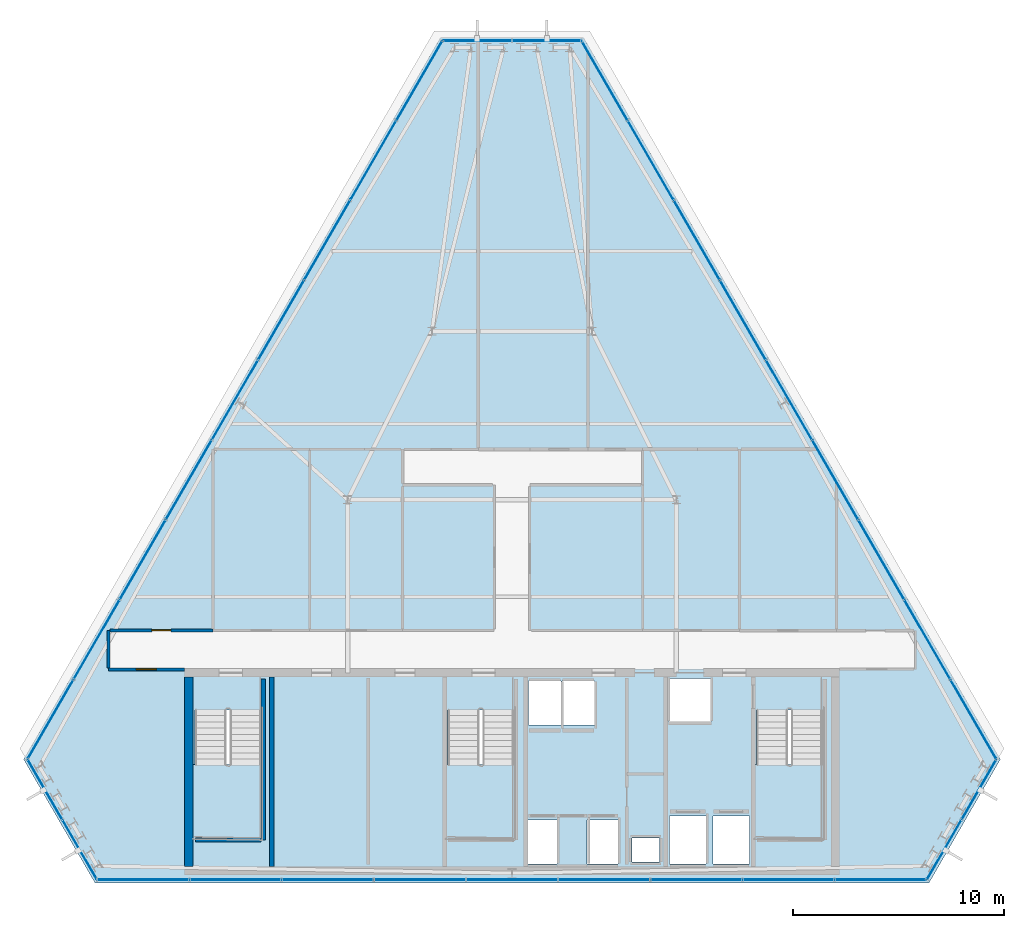
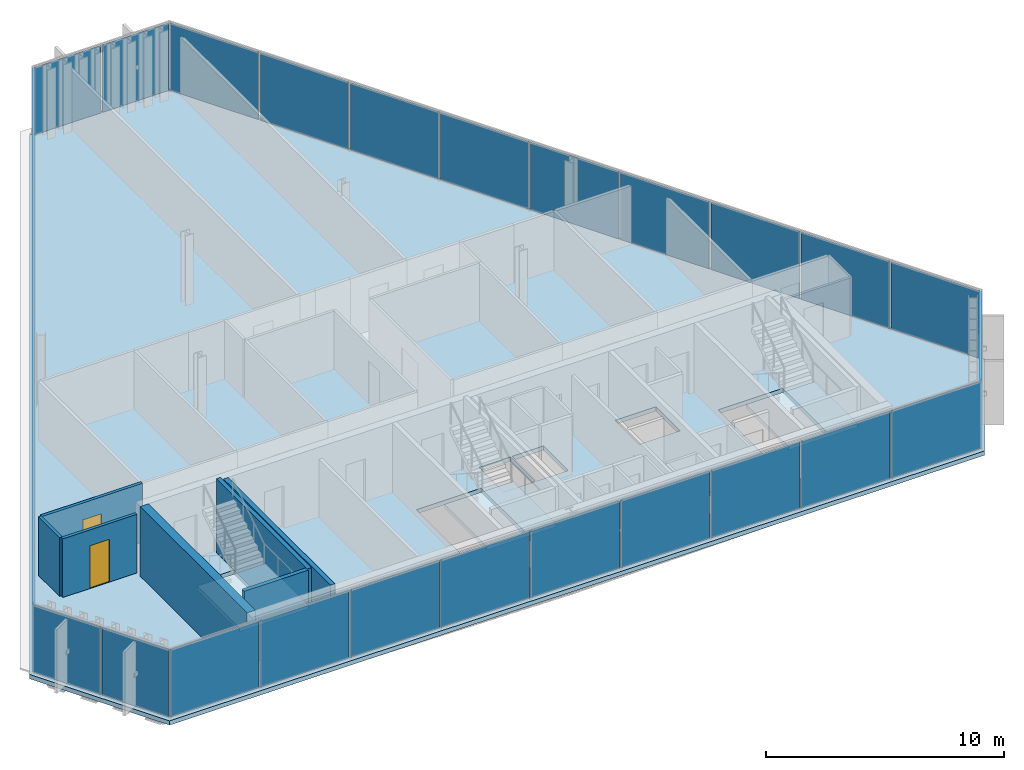
# One storey, part 23 of 29: 33 plates, 7 walls, 4 slabs, 2 doors, 2 openings, 9 elements without a shape of their own.
"""IFC4 building model written with IfcOpenShell, lengths in metres."""

from ifc_helpers import new_model, si_unit, direction, frame, frame_2d, origin, origin_2d, place, context, subcontext, project, spatial, polyline, rectangle, outline, extrude, material, layer, layer_set, type_object, element, fill, aggregate, save


model = new_model("IFC4")

# Units and contexts
model_context = context("Model", 3, precision=1e-05, world=origin(), true_north=direction((0.0, 1.0)))
body_context = subcontext(model_context, "Body", "Model", "MODEL_VIEW")
ifc_project = project(units=[si_unit("LENGTHUNIT", "METRE"), si_unit("AREAUNIT", "SQUARE_METRE"), si_unit("VOLUMEUNIT", "CUBIC_METRE"), si_unit("PLANEANGLEUNIT", "RADIAN"), si_unit("MASSUNIT", "GRAM", prefix="KILO")], contexts=[model_context])

# Site, building, storey
site_placement = place(None, origin())
site = spatial("IfcSite", under=ifc_project, at=site_placement, CompositionType="ELEMENT")
building_placement = place(site_placement, origin())
building = spatial("IfcBuilding", under=site, at=building_placement, Name="Ndaravel Arena Tower", CompositionType="ELEMENT")
storey_placement = place(building_placement, frame((0.0, 0.0, 240.800048828125)))
storey = spatial("IfcBuildingStorey", under=building, at=storey_placement, Name="L58", CompositionType="ELEMENT", Elevation=240.800048828125)

# Curtain wall, plate
ifc_material_1 = material(Name="Aluminium", Category="aluminium")
ifc_layer_1 = layer(ifc_material_1, 0.179931640625)
ifc_layer_set_1 = layer_set([ifc_layer_1], Name="Aluminium")
curtain_wall_type_1 = type_object("IfcCurtainWallType", Name="CW-SYS-01", PredefinedType="NOTDEFINED", material=ifc_layer_set_1)
curtain_wall_1_placement = place(storey_placement, origin())
curtain_wall_1 = element("IfcCurtainWall", 1, at=curtain_wall_1_placement, inside=storey, type_object=curtain_wall_type_1, Name="L58 Faceted Crystal Curtain Wall CW-L58-E02", PredefinedType="NOTDEFINED")
ifc_material_2 = material(Name="Glazing", Category="glass")
ifc_layer_2 = layer(ifc_material_2, 0.035888671875)
ifc_layer_set_2 = layer_set([ifc_layer_2], Name="Glazing")
plate_type_1 = type_object("IfcPlateType", Name="PLT-CW-OPVENT", PredefinedType="CURTAIN_PANEL", material=ifc_layer_set_2)
plate_1_placement = place(storey_placement, frame((64.169677734375, 9.451416015625, 0.06005859375), z_axis=(0.0, 0.0, 1.0), x_axis=(0.5, 0.866025403784, 0.0)))
plate_1 = element("IfcPlate", 2, at=plate_1_placement, type_object=plate_type_1, Name="CW-L58-E02 Operable Vent Sash Panel 02", PredefinedType="CURTAIN_PANEL", context=body_context, shape_type="SweptSolid", body=[
    extrude(rectangle(XDim=3.2236328125, YDim=0.035888671875, at=origin_2d()), origin(), (0.0, 0.0, 1.0), 3.4599609375),
])

curtain_wall_2_placement = place(storey_placement, origin())
curtain_wall_2 = element("IfcCurtainWall", 3, at=curtain_wall_2_placement, inside=storey, type_object=curtain_wall_type_1, Name="L58 Faceted Crystal Curtain Wall CW-L58-E04", PredefinedType="NOTDEFINED")
plate_2_placement = place(storey_placement, frame((40.34814453125, 44.989501953125, 0.06005859375), z_axis=(0.0, 0.0, 1.0), x_axis=(-1.0, 0.0, 0.0)))
plate_2 = element("IfcPlate", 4, at=plate_2_placement, type_object=plate_type_1, Name="CW-L58-E04 Operable Vent Sash Panel 02", PredefinedType="CURTAIN_PANEL", context=body_context, shape_type="SweptSolid", body=[
    extrude(rectangle(XDim=3.2236328125, YDim=0.035888671875, at=origin_2d()), origin(), (0.0, 0.0, 1.0), 3.4599609375),
])

ifc_material_3 = material(Name="Aluminium", Category="aluminium")
ifc_layer_3 = layer(ifc_material_3, 0.179931640625)
ifc_layer_set_3 = layer_set([ifc_layer_3], Name="Aluminium")
curtain_wall_type_2 = type_object("IfcCurtainWallType", Name="CW-SYS-02", PredefinedType="NOTDEFINED", material=ifc_layer_set_3)
curtain_wall_3_placement = place(storey_placement, origin())
curtain_wall_3 = element("IfcCurtainWall", 5, at=curtain_wall_3_placement, inside=storey, type_object=curtain_wall_type_2, Name="L58 Faceted Crystal Curtain Wall CW-L58-E06", PredefinedType="NOTDEFINED")
plate_3_placement = place(storey_placement, frame((21.482177734375, 6.590576171875, 0.06005859375), z_axis=(0.0, 0.0, 1.0), x_axis=(0.5, -0.866025403784, 0.0)))
plate_3 = element("IfcPlate", 6, at=plate_3_placement, type_object=plate_type_1, Name="CW-L58-E06 Operable Vent Sash Panel 02", PredefinedType="CURTAIN_PANEL", context=body_context, shape_type="SweptSolid", body=[
    extrude(rectangle(XDim=3.2236328125, YDim=0.035888671875, at=origin_2d()), origin(), (0.0, 0.0, 1.0), 3.4599609375),
])

# Plate
ifc_material_4 = material(Name="Glazing", Category="glass")
ifc_layer_4 = layer(ifc_material_4, 0.031982421875)
ifc_layer_set_4 = layer_set([ifc_layer_4], Name="Glazing")
plate_type_2 = type_object("IfcPlateType", Name="PLT-GLZ-FRIT35", PredefinedType="CURTAIN_PANEL", material=ifc_layer_set_4)
plate_4_placement = place(storey_placement, frame((62.517822265625, 6.590576171875, 0.06005859375), z_axis=(0.0, 0.0, 1.0), x_axis=(0.5, 0.866025403784, 0.0)))
plate_4 = element("IfcPlate", 7, at=plate_4_placement, type_object=plate_type_2, Name="CW-L58-E02 Vision Glass Panel 01", PredefinedType="CURTAIN_PANEL", context=body_context, shape_type="SweptSolid", body=[
    extrude(rectangle(XDim=3.2236328125, YDim=0.035888671875, at=origin_2d()), origin(), (0.0, 0.0, 1.0), 3.4599609375),
])

aggregate(curtain_wall_1, [plate_4, plate_1])

plate_5_placement = place(storey_placement, frame((43.65185546875, 44.989501953125, 0.06005859375), z_axis=(0.0, 0.0, 1.0), x_axis=(-1.0, 0.0, 0.0)))
plate_5 = element("IfcPlate", 8, at=plate_5_placement, type_object=plate_type_2, Name="CW-L58-E04 Vision Glass Panel 01", PredefinedType="CURTAIN_PANEL", context=body_context, shape_type="SweptSolid", body=[
    extrude(rectangle(XDim=3.2236328125, YDim=0.035888671875, at=origin_2d()), origin(), (0.0, 0.0, 1.0), 3.4599609375),
])

aggregate(curtain_wall_2, [plate_5, plate_2])

ifc_material_5 = material(Name="Glazing", Category="glass")
ifc_layer_5 = layer(ifc_material_5, 0.035888671875)
ifc_layer_set_5 = layer_set([ifc_layer_5], Name="Glazing")
plate_type_3 = type_object("IfcPlateType", Name="PLT-GLZ-FRIT55", PredefinedType="CURTAIN_PANEL", material=ifc_layer_set_5)
plate_6_placement = place(storey_placement, frame((19.830322265625, 9.451416015625, 0.06005859375), z_axis=(0.0, 0.0, 1.0), x_axis=(0.5, -0.866025403784, 0.0)))
plate_6 = element("IfcPlate", 9, at=plate_6_placement, type_object=plate_type_3, Name="CW-L58-E06 Vision Glass Panel 01", PredefinedType="CURTAIN_PANEL", context=body_context, shape_type="SweptSolid", body=[
    extrude(rectangle(XDim=3.2236328125, YDim=0.035888671875, at=origin_2d()), origin(), (0.0, 0.0, 1.0), 3.4599609375),
])

aggregate(curtain_wall_3, [plate_6, plate_3])

# Curtain wall, plates
ifc_material_6 = material(Name="Aluminium", Category="aluminium")
ifc_layer_6 = layer(ifc_material_6, 0.179931640625)
ifc_layer_set_6 = layer_set([ifc_layer_6], Name="Aluminium")
curtain_wall_type_3 = type_object("IfcCurtainWallType", Name="CW-SYS-03", PredefinedType="NOTDEFINED", material=ifc_layer_set_6)
curtain_wall_4_placement = place(storey_placement, origin())
curtain_wall_4 = element("IfcCurtainWall", 10, at=curtain_wall_4_placement, inside=storey, type_object=curtain_wall_type_3, Name="L58 Faceted Crystal Curtain Wall CW-L58-E01", PredefinedType="NOTDEFINED")
ifc_material_7 = material(Name="Glazing", Category="glass")
ifc_layer_7 = layer(ifc_material_7, 0.0400390625)
ifc_layer_set_7 = layer_set([ifc_layer_7], Name="Glazing")
plate_type_4 = type_object("IfcPlateType", Name="PLT-GLZ-LOWIRON", PredefinedType="CURTAIN_PANEL", material=ifc_layer_set_7)
plate_7_placement = place(storey_placement, frame((24.49609375, 5.159912109375, 0.06005859375), z_axis=(0.0, 0.0, 1.0), x_axis=(1.0, 0.0, 0.0)))
plate_7 = element("IfcPlate", 11, at=plate_7_placement, type_object=plate_type_4, Name="CW-L58-E01 Vision Glass Panel 01", PredefinedType="CURTAIN_PANEL", context=body_context, shape_type="SweptSolid", body=[
    extrude(rectangle(XDim=4.2958984375, YDim=0.035888671875, at=origin_2d()), origin(), (0.0, 0.0, 1.0), 3.4599609375),
])
plate_8_placement = place(storey_placement, frame((28.8720703125, 5.159912109375, 0.06005859375), z_axis=(0.0, 0.0, 1.0), x_axis=(1.0, 0.0, 0.0)))
plate_8 = element("IfcPlate", 12, at=plate_8_placement, type_object=plate_type_4, Name="CW-L58-E01 Vision Glass Panel 02", PredefinedType="CURTAIN_PANEL", context=body_context, shape_type="SweptSolid", body=[
    extrude(rectangle(XDim=4.2958984375, YDim=0.035888671875, at=origin_2d()), origin(), (0.0, 0.0, 1.0), 3.4599609375),
])
plate_9_placement = place(storey_placement, frame((33.248046875, 5.159912109375, 0.06005859375), z_axis=(0.0, 0.0, 1.0), x_axis=(1.0, 0.0, 0.0)))
plate_9 = element("IfcPlate", 13, at=plate_9_placement, type_object=plate_type_4, Name="CW-L58-E01 Vision Glass Panel 03", PredefinedType="CURTAIN_PANEL", context=body_context, shape_type="SweptSolid", body=[
    extrude(rectangle(XDim=4.2958984375, YDim=0.035888671875, at=origin_2d()), origin(), (0.0, 0.0, 1.0), 3.4599609375),
])
plate_10_placement = place(storey_placement, frame((37.6240234375, 5.159912109375, 0.06005859375), z_axis=(0.0, 0.0, 1.0), x_axis=(1.0, 0.0, 0.0)))
plate_10 = element("IfcPlate", 14, at=plate_10_placement, type_object=plate_type_4, Name="CW-L58-E01 Vision Glass Panel 04", PredefinedType="CURTAIN_PANEL", context=body_context, shape_type="SweptSolid", body=[
    extrude(rectangle(XDim=4.2958984375, YDim=0.035888671875, at=origin_2d()), origin(), (0.0, 0.0, 1.0), 3.4599609375),
])
plate_11_placement = place(storey_placement, frame((42.0, 5.159912109375, 0.06005859375), z_axis=(0.0, 0.0, 1.0), x_axis=(1.0, 0.0, 0.0)))
plate_11 = element("IfcPlate", 15, at=plate_11_placement, type_object=plate_type_4, Name="CW-L58-E01 Vision Glass Panel 05", PredefinedType="CURTAIN_PANEL", context=body_context, shape_type="SweptSolid", body=[
    extrude(rectangle(XDim=4.2958984375, YDim=0.035888671875, at=origin_2d()), origin(), (0.0, 0.0, 1.0), 3.4599609375),
])
plate_12_placement = place(storey_placement, frame((46.3759765625, 5.159912109375, 0.06005859375), z_axis=(0.0, 0.0, 1.0), x_axis=(1.0, 0.0, 0.0)))
plate_12 = element("IfcPlate", 16, at=plate_12_placement, type_object=plate_type_4, Name="CW-L58-E01 Vision Glass Panel 06", PredefinedType="CURTAIN_PANEL", context=body_context, shape_type="SweptSolid", body=[
    extrude(rectangle(XDim=4.2958984375, YDim=0.035888671875, at=origin_2d()), origin(), (0.0, 0.0, 1.0), 3.4599609375),
])
plate_13_placement = place(storey_placement, frame((50.751953125, 5.159912109375, 0.06005859375), z_axis=(0.0, 0.0, 1.0), x_axis=(1.0, 0.0, 0.0)))
plate_13 = element("IfcPlate", 17, at=plate_13_placement, type_object=plate_type_4, Name="CW-L58-E01 Vision Glass Panel 07", PredefinedType="CURTAIN_PANEL", context=body_context, shape_type="SweptSolid", body=[
    extrude(rectangle(XDim=4.2958984375, YDim=0.035888671875, at=origin_2d()), origin(), (0.0, 0.0, 1.0), 3.4599609375),
])
plate_14_placement = place(storey_placement, frame((55.1279296875, 5.159912109375, 0.06005859375), z_axis=(0.0, 0.0, 1.0), x_axis=(1.0, 0.0, 0.0)))
plate_14 = element("IfcPlate", 18, at=plate_14_placement, type_object=plate_type_4, Name="CW-L58-E01 Vision Glass Panel 08", PredefinedType="CURTAIN_PANEL", context=body_context, shape_type="SweptSolid", body=[
    extrude(rectangle(XDim=4.2958984375, YDim=0.035888671875, at=origin_2d()), origin(), (0.0, 0.0, 1.0), 3.4599609375),
])
plate_15_placement = place(storey_placement, frame((59.50390625, 5.159912109375, 0.06005859375), z_axis=(0.0, 0.0, 1.0), x_axis=(1.0, 0.0, 0.0)))
plate_15 = element("IfcPlate", 19, at=plate_15_placement, type_object=plate_type_4, Name="CW-L58-E01 Vision Glass Panel 09", PredefinedType="CURTAIN_PANEL", context=body_context, shape_type="SweptSolid", body=[
    extrude(rectangle(XDim=4.2958984375, YDim=0.035888671875, at=origin_2d()), origin(), (0.0, 0.0, 1.0), 3.4599609375),
])
aggregate(curtain_wall_4, [plate_7, plate_8, plate_9, plate_10, plate_11, plate_12, plate_13, plate_14, plate_15])

curtain_wall_5_placement = place(storey_placement, origin())
curtain_wall_5 = element("IfcCurtainWall", 20, at=curtain_wall_5_placement, inside=storey, type_object=curtain_wall_type_3, Name="L58 Faceted Crystal Curtain Wall CW-L58-E03", PredefinedType="NOTDEFINED")
plate_16_placement = place(storey_placement, frame((63.901611328125, 12.77685546875, 0.06005859375), z_axis=(0.0, 0.0, 1.0), x_axis=(-0.5, 0.866025403784, 0.0)))
plate_16 = element("IfcPlate", 21, at=plate_16_placement, type_object=plate_type_4, Name="CW-L58-E03 Vision Glass Panel 01", PredefinedType="CURTAIN_PANEL", context=body_context, shape_type="SweptSolid", body=[
    extrude(rectangle(XDim=4.2958984375, YDim=0.035888671875, at=origin_2d()), origin(), (0.0, 0.0, 1.0), 3.4599609375),
])
plate_17_placement = place(storey_placement, frame((61.713623046875, 16.566650390625, 0.06005859375), z_axis=(0.0, 0.0, 1.0), x_axis=(-0.5, 0.866025403784, 0.0)))
plate_17 = element("IfcPlate", 22, at=plate_17_placement, type_object=plate_type_4, Name="CW-L58-E03 Vision Glass Panel 02", PredefinedType="CURTAIN_PANEL", context=body_context, shape_type="SweptSolid", body=[
    extrude(rectangle(XDim=4.2958984375, YDim=0.035888671875, at=origin_2d()), origin(), (0.0, 0.0, 1.0), 3.4599609375),
])
plate_18_placement = place(storey_placement, frame((59.525634765625, 20.356201171875, 0.06005859375), z_axis=(0.0, 0.0, 1.0), x_axis=(-0.5, 0.866025403784, 0.0)))
plate_18 = element("IfcPlate", 23, at=plate_18_placement, type_object=plate_type_4, Name="CW-L58-E03 Vision Glass Panel 03", PredefinedType="CURTAIN_PANEL", context=body_context, shape_type="SweptSolid", body=[
    extrude(rectangle(XDim=4.2958984375, YDim=0.035888671875, at=origin_2d()), origin(), (0.0, 0.0, 1.0), 3.4599609375),
])
plate_19_placement = place(storey_placement, frame((57.337646484375, 24.14599609375, 0.06005859375), z_axis=(0.0, 0.0, 1.0), x_axis=(-0.5, 0.866025403784, 0.0)))
plate_19 = element("IfcPlate", 24, at=plate_19_placement, type_object=plate_type_4, Name="CW-L58-E03 Vision Glass Panel 04", PredefinedType="CURTAIN_PANEL", context=body_context, shape_type="SweptSolid", body=[
    extrude(rectangle(XDim=4.2958984375, YDim=0.035888671875, at=origin_2d()), origin(), (0.0, 0.0, 1.0), 3.4599609375),
])
plate_20_placement = place(storey_placement, frame((55.149658203125, 27.935791015625, 0.06005859375), z_axis=(0.0, 0.0, 1.0), x_axis=(-0.5, 0.866025403784, 0.0)))
plate_20 = element("IfcPlate", 25, at=plate_20_placement, type_object=plate_type_4, Name="CW-L58-E03 Vision Glass Panel 05", PredefinedType="CURTAIN_PANEL", context=body_context, shape_type="SweptSolid", body=[
    extrude(rectangle(XDim=4.2958984375, YDim=0.035888671875, at=origin_2d()), origin(), (0.0, 0.0, 1.0), 3.4599609375),
])
plate_21_placement = place(storey_placement, frame((52.961669921875, 31.7255859375, 0.06005859375), z_axis=(0.0, 0.0, 1.0), x_axis=(-0.5, 0.866025403784, 0.0)))
plate_21 = element("IfcPlate", 26, at=plate_21_placement, type_object=plate_type_4, Name="CW-L58-E03 Vision Glass Panel 06", PredefinedType="CURTAIN_PANEL", context=body_context, shape_type="SweptSolid", body=[
    extrude(rectangle(XDim=4.2958984375, YDim=0.035888671875, at=origin_2d()), origin(), (0.0, 0.0, 1.0), 3.4599609375),
])
plate_22_placement = place(storey_placement, frame((50.773681640625, 35.515380859375, 0.06005859375), z_axis=(0.0, 0.0, 1.0), x_axis=(-0.5, 0.866025403784, 0.0)))
plate_22 = element("IfcPlate", 27, at=plate_22_placement, type_object=plate_type_4, Name="CW-L58-E03 Vision Glass Panel 07", PredefinedType="CURTAIN_PANEL", context=body_context, shape_type="SweptSolid", body=[
    extrude(rectangle(XDim=4.2958984375, YDim=0.035888671875, at=origin_2d()), origin(), (0.0, 0.0, 1.0), 3.4599609375),
])
plate_23_placement = place(storey_placement, frame((48.585693359375, 39.304931640625, 0.06005859375), z_axis=(0.0, 0.0, 1.0), x_axis=(-0.5, 0.866025403784, 0.0)))
plate_23 = element("IfcPlate", 28, at=plate_23_placement, type_object=plate_type_4, Name="CW-L58-E03 Vision Glass Panel 08", PredefinedType="CURTAIN_PANEL", context=body_context, shape_type="SweptSolid", body=[
    extrude(rectangle(XDim=4.2958984375, YDim=0.035888671875, at=origin_2d()), origin(), (0.0, 0.0, 1.0), 3.4599609375),
])
plate_24_placement = place(storey_placement, frame((46.397705078125, 43.0947265625, 0.06005859375), z_axis=(0.0, 0.0, 1.0), x_axis=(-0.5, 0.866025403784, 0.0)))
plate_24 = element("IfcPlate", 29, at=plate_24_placement, type_object=plate_type_4, Name="CW-L58-E03 Vision Glass Panel 09", PredefinedType="CURTAIN_PANEL", context=body_context, shape_type="SweptSolid", body=[
    extrude(rectangle(XDim=4.2958984375, YDim=0.035888671875, at=origin_2d()), origin(), (0.0, 0.0, 1.0), 3.4599609375),
])
aggregate(curtain_wall_5, [plate_16, plate_17, plate_18, plate_19, plate_20, plate_21, plate_22, plate_23, plate_24])

curtain_wall_6_placement = place(storey_placement, origin())
curtain_wall_6 = element("IfcCurtainWall", 30, at=curtain_wall_6_placement, inside=storey, type_object=curtain_wall_type_3, Name="L58 Faceted Crystal Curtain Wall CW-L58-E05", PredefinedType="NOTDEFINED")
plate_25_placement = place(storey_placement, frame((37.602294921875, 43.0947265625, 0.06005859375), z_axis=(0.0, 0.0, 1.0), x_axis=(-0.5, -0.866025403784, 0.0)))
plate_25 = element("IfcPlate", 31, at=plate_25_placement, type_object=plate_type_4, Name="CW-L58-E05 Vision Glass Panel 01", PredefinedType="CURTAIN_PANEL", context=body_context, shape_type="SweptSolid", body=[
    extrude(rectangle(XDim=4.2958984375, YDim=0.035888671875, at=origin_2d()), origin(), (0.0, 0.0, 1.0), 3.4599609375),
])
plate_26_placement = place(storey_placement, frame((35.414306640625, 39.304931640625, 0.06005859375), z_axis=(0.0, 0.0, 1.0), x_axis=(-0.5, -0.866025403784, 0.0)))
plate_26 = element("IfcPlate", 32, at=plate_26_placement, type_object=plate_type_4, Name="CW-L58-E05 Vision Glass Panel 02", PredefinedType="CURTAIN_PANEL", context=body_context, shape_type="SweptSolid", body=[
    extrude(rectangle(XDim=4.2958984375, YDim=0.035888671875, at=origin_2d()), origin(), (0.0, 0.0, 1.0), 3.4599609375),
])
plate_27_placement = place(storey_placement, frame((33.226318359375, 35.515380859375, 0.06005859375), z_axis=(0.0, 0.0, 1.0), x_axis=(-0.5, -0.866025403784, 0.0)))
plate_27 = element("IfcPlate", 33, at=plate_27_placement, type_object=plate_type_4, Name="CW-L58-E05 Vision Glass Panel 03", PredefinedType="CURTAIN_PANEL", context=body_context, shape_type="SweptSolid", body=[
    extrude(rectangle(XDim=4.2958984375, YDim=0.035888671875, at=origin_2d()), origin(), (0.0, 0.0, 1.0), 3.4599609375),
])
plate_28_placement = place(storey_placement, frame((31.038330078125, 31.7255859375, 0.06005859375), z_axis=(0.0, 0.0, 1.0), x_axis=(-0.5, -0.866025403784, 0.0)))
plate_28 = element("IfcPlate", 34, at=plate_28_placement, type_object=plate_type_4, Name="CW-L58-E05 Vision Glass Panel 04", PredefinedType="CURTAIN_PANEL", context=body_context, shape_type="SweptSolid", body=[
    extrude(rectangle(XDim=4.2958984375, YDim=0.035888671875, at=origin_2d()), origin(), (0.0, 0.0, 1.0), 3.4599609375),
])
plate_29_placement = place(storey_placement, frame((28.850341796875, 27.935791015625, 0.06005859375), z_axis=(0.0, 0.0, 1.0), x_axis=(-0.5, -0.866025403784, 0.0)))
plate_29 = element("IfcPlate", 35, at=plate_29_placement, type_object=plate_type_4, Name="CW-L58-E05 Vision Glass Panel 05", PredefinedType="CURTAIN_PANEL", context=body_context, shape_type="SweptSolid", body=[
    extrude(rectangle(XDim=4.2958984375, YDim=0.035888671875, at=origin_2d()), origin(), (0.0, 0.0, 1.0), 3.4599609375),
])
plate_30_placement = place(storey_placement, frame((26.662353515625, 24.14599609375, 0.06005859375), z_axis=(0.0, 0.0, 1.0), x_axis=(-0.5, -0.866025403784, 0.0)))
plate_30 = element("IfcPlate", 36, at=plate_30_placement, type_object=plate_type_4, Name="CW-L58-E05 Vision Glass Panel 06", PredefinedType="CURTAIN_PANEL", context=body_context, shape_type="SweptSolid", body=[
    extrude(rectangle(XDim=4.2958984375, YDim=0.035888671875, at=origin_2d()), origin(), (0.0, 0.0, 1.0), 3.4599609375),
])
plate_31_placement = place(storey_placement, frame((24.474365234375, 20.356201171875, 0.06005859375), z_axis=(0.0, 0.0, 1.0), x_axis=(-0.5, -0.866025403784, 0.0)))
plate_31 = element("IfcPlate", 37, at=plate_31_placement, type_object=plate_type_4, Name="CW-L58-E05 Vision Glass Panel 07", PredefinedType="CURTAIN_PANEL", context=body_context, shape_type="SweptSolid", body=[
    extrude(rectangle(XDim=4.2958984375, YDim=0.035888671875, at=origin_2d()), origin(), (0.0, 0.0, 1.0), 3.4599609375),
])
plate_32_placement = place(storey_placement, frame((22.286376953125, 16.566650390625, 0.06005859375), z_axis=(0.0, 0.0, 1.0), x_axis=(-0.5, -0.866025403784, 0.0)))
plate_32 = element("IfcPlate", 38, at=plate_32_placement, type_object=plate_type_4, Name="CW-L58-E05 Vision Glass Panel 08", PredefinedType="CURTAIN_PANEL", context=body_context, shape_type="SweptSolid", body=[
    extrude(rectangle(XDim=4.2958984375, YDim=0.035888671875, at=origin_2d()), origin(), (0.0, 0.0, 1.0), 3.4599609375),
])
plate_33_placement = place(storey_placement, frame((20.098388671875, 12.77685546875, 0.06005859375), z_axis=(0.0, 0.0, 1.0), x_axis=(-0.5, -0.866025403784, 0.0)))
plate_33 = element("IfcPlate", 39, at=plate_33_placement, type_object=plate_type_4, Name="CW-L58-E05 Vision Glass Panel 09", PredefinedType="CURTAIN_PANEL", context=body_context, shape_type="SweptSolid", body=[
    extrude(rectangle(XDim=4.2958984375, YDim=0.035888671875, at=origin_2d()), origin(), (0.0, 0.0, 1.0), 3.4599609375),
])
aggregate(curtain_wall_6, [plate_25, plate_26, plate_27, plate_28, plate_29, plate_30, plate_31, plate_32, plate_33])

# Stair, slab
ifc_material_8 = material(Name="Concrete C40/50", Category="concrete")
stair_type = type_object("IfcStairType", Name="STAIR-CORE-HT", PredefinedType="HALF_TURN_STAIR", material=ifc_material_8)
stair_1_placement = place(storey_placement, origin())
stair_1 = element("IfcStair", 40, at=stair_1_placement, inside=storey, type_object=stair_type, Name="L58 ST-1", PredefinedType="HALF_TURN_STAIR")
ifc_material_9 = material(Name="Concrete C40/50", Category="concrete")
ifc_layer_8 = layer(ifc_material_9, 0.199951171875)
ifc_layer_set_8 = layer_set([ifc_layer_8], Name="Concrete C40/50")
slab_type_1 = type_object("IfcSlabType", Name="SLAB-STAIR-LANDING", PredefinedType="LANDING", material=ifc_layer_set_8)
slab_1_placement = place(storey_placement, frame((0.0, 0.0, 1.699951171875)))
slab_1 = element("IfcSlab", 41, at=slab_1_placement, type_object=slab_type_1, Name="ST-1 landing 1", PredefinedType="LANDING", context=body_context, shape_type="SweptSolid", body=[
    extrude(outline(polyline([(26.81005859375, 10.6298828125), (26.81005859375, 7.070068359375), (30.169921875, 7.070068359375), (30.169921875, 10.6298828125), (26.81005859375, 10.6298828125)])), origin(), (0.0, 0.0, 1.0), 0.199951171875),
])
aggregate(stair_1, [slab_1])

stair_2_placement = place(storey_placement, origin())
stair_2 = element("IfcStair", 42, at=stair_2_placement, inside=storey, type_object=stair_type, Name="L58 ST-2", PredefinedType="HALF_TURN_STAIR")
slab_2_placement = place(storey_placement, frame((0.0, 0.0, 1.699951171875)))
slab_2 = element("IfcSlab", 43, at=slab_2_placement, type_object=slab_type_1, Name="ST-2 landing 1", PredefinedType="LANDING", context=body_context, shape_type="SweptSolid", body=[
    extrude(outline(polyline([(38.81005859375, 10.6298828125), (38.81005859375, 7.070068359375), (42.169921875, 7.070068359375), (42.169921875, 10.6298828125), (38.81005859375, 10.6298828125)])), origin(), (0.0, 0.0, 1.0), 0.199951171875),
])
aggregate(stair_2, [slab_2])

stair_3_placement = place(storey_placement, origin())
stair_3 = element("IfcStair", 44, at=stair_3_placement, inside=storey, type_object=stair_type, Name="L58 ST-3", PredefinedType="HALF_TURN_STAIR")
slab_3_placement = place(storey_placement, frame((0.0, 0.0, 1.699951171875)))
slab_3 = element("IfcSlab", 45, at=slab_3_placement, type_object=slab_type_1, Name="ST-3 landing 1", PredefinedType="LANDING", context=body_context, shape_type="SweptSolid", body=[
    extrude(outline(polyline([(53.4599609375, 10.6298828125), (53.4599609375, 7.070068359375), (56.820068359375, 7.070068359375), (56.820068359375, 10.6298828125), (53.4599609375, 10.6298828125)])), origin(), (0.0, 0.0, 1.0), 0.199951171875),
])
aggregate(stair_3, [slab_3])

# Slab
ifc_material_10 = material(Name="Concrete C40/50", Category="concrete")
ifc_layer_9 = layer(ifc_material_10, 0.219970703125)
ifc_layer_set_9 = layer_set([ifc_layer_9], Name="Concrete C40/50")
slab_type_2 = type_object("IfcSlabType", Name="SLAB-TWR-220", PredefinedType="FLOOR", material=ifc_layer_set_9)
slab_4_placement = place(storey_placement, frame((0.0, 0.0, -0.219970703125)))
element("IfcSlab", 46, at=slab_4_placement, inside=storey, type_object=slab_type_2, Name="L58 Structural Floor Slab", PredefinedType="FLOOR", context=body_context, shape_type="SweptSolid", body=[
    extrude(outline(polyline([(18.819580078125, 10.882080078125), (22.215576171875, 5.0), (61.784423828125, 5.0), (65.180419921875, 10.882080078125), (45.39599609375, 45.149658203125), (38.60400390625, 45.149658203125), (18.819580078125, 10.882080078125)]), holes=[polyline([(26.949951171875, 13.215087890625), (26.949951171875, 7.14990234375), (30.090087890625, 7.14990234375), (30.090087890625, 13.215087890625), (26.949951171875, 13.215087890625)]), polyline([(38.949951171875, 13.215087890625), (38.949951171875, 7.14990234375), (42.090087890625, 7.14990234375), (42.090087890625, 13.215087890625), (38.949951171875, 13.215087890625)]), polyline([(53.60009765625, 13.215087890625), (53.60009765625, 7.14990234375), (56.739990234375, 7.14990234375), (56.739990234375, 13.215087890625), (53.60009765625, 13.215087890625)]), polyline([(42.659912109375, 5.909912109375), (44.139892578125, 5.909912109375), (44.139892578125, 7.989990234375), (42.659912109375, 7.989990234375), (42.659912109375, 5.909912109375)]), polyline([(45.56005859375, 5.909912109375), (47.0400390625, 5.909912109375), (47.0400390625, 7.989990234375), (45.56005859375, 7.989990234375), (45.56005859375, 5.909912109375)]), polyline([(42.784912109375, 12.510009765625), (44.31494140625, 12.510009765625), (44.31494140625, 14.590087890625), (42.784912109375, 14.590087890625), (42.784912109375, 12.510009765625)]), polyline([(44.385009765625, 12.510009765625), (45.9150390625, 12.510009765625), (45.9150390625, 14.590087890625), (44.385009765625, 14.590087890625), (44.385009765625, 12.510009765625)]), polyline([(49.485107421875, 5.909912109375), (51.215087890625, 5.909912109375), (51.215087890625, 8.18994140625), (49.485107421875, 8.18994140625), (49.485107421875, 5.909912109375)]), polyline([(51.534912109375, 5.909912109375), (53.264892578125, 5.909912109375), (53.264892578125, 8.18994140625), (51.534912109375, 8.18994140625), (51.534912109375, 5.909912109375)]), polyline([(49.4599609375, 12.68505859375), (51.43994140625, 12.68505859375), (51.43994140625, 14.715087890625), (49.4599609375, 14.715087890625), (49.4599609375, 12.68505859375)]), polyline([(47.699951171875, 6.0), (49.0, 6.0), (49.0, 7.139892578125), (47.699951171875, 7.139892578125), (47.699951171875, 6.0)])]), origin(), (0.0, 0.0, 1.0), 0.219970703125),
])

# Walls
ifc_material_11 = material(Name="Concrete C50/60", Category="concrete")
ifc_layer_10 = layer(ifc_material_11, 0.219970703125)
ifc_layer_set_10 = layer_set([ifc_layer_10], Name="Concrete C50/60")
wall_type_1 = type_object("IfcWallType", Name="WALL-CORE-220", PredefinedType="SOLIDWALL", material=ifc_layer_set_10)
wall_1_placement = place(storey_placement, frame((30.60009765625, 5.800048828125, 0.0), z_axis=(0.0, 0.0, 1.0), x_axis=(0.0, 1.0, 0.0)))
element("IfcWall", 47, at=wall_1_placement, inside=storey, type_object=wall_type_1, Name="L58 Core Web Shear Wall 1", PredefinedType="SOLIDWALL", context=body_context, shape_type="SweptSolid", body=[
    extrude(rectangle(XDim=9.0, YDim=0.219970703125, at=frame_2d((4.5, 0.0))), origin(), (0.0, 0.0, 1.0), 3.579833984375),
])
ifc_material_12 = material(Name="Concrete C50/60", Category="concrete")
ifc_layer_11 = layer(ifc_material_12, 0.39990234375)
ifc_layer_set_11 = layer_set([ifc_layer_11], Name="Concrete C50/60")
wall_type_2 = type_object("IfcWallType", Name="WALL-CORE-400", PredefinedType="SOLIDWALL", material=ifc_layer_set_11)
wall_2_placement = place(storey_placement, frame((26.64990234375, 5.800048828125, 0.0), z_axis=(0.0, 0.0, 1.0), x_axis=(0.0, 1.0, 0.0)))
element("IfcWall", 48, at=wall_2_placement, inside=storey, type_object=wall_type_2, Name="L58 Core West Shear Wall", PredefinedType="SOLIDWALL", context=body_context, shape_type="SweptSolid", body=[
    extrude(rectangle(XDim=9.0, YDim=0.39990234375, at=frame_2d((4.5, 0.0))), origin(), (0.0, 0.0, 1.0), 3.579833984375),
])
ifc_material_13 = material(Name="Concrete C40/50", Category="concrete")
ifc_layer_12 = layer(ifc_material_13, 0.199951171875)
ifc_layer_set_12 = layer_set([ifc_layer_12], Name="Concrete C40/50")
wall_type_3 = type_object("IfcWallType", Name="WALL-SHAFT-200", PredefinedType="SOLIDWALL", material=ifc_layer_set_12)
wall_3_placement = place(storey_placement, frame((30.18994140625, 14.699951171875, 0.0), z_axis=(0.0, 0.0, 1.0), x_axis=(0.0, -1.0, 0.0)))
element("IfcWall", 49, at=wall_3_placement, inside=storey, type_object=wall_type_3, Name="L58 ST-1 Structural Shaft Wall Right", PredefinedType="SOLIDWALL", context=body_context, shape_type="SweptSolid", body=[
    extrude(rectangle(XDim=7.64990234375, YDim=0.199951171875, at=frame_2d((3.824951171875, 0.0))), origin(), (0.0, 0.0, 1.0), 3.800048828125),
])
wall_4_placement = place(storey_placement, frame((26.969970703125, 7.050048828125, 0.0), z_axis=(0.0, 0.0, 1.0), x_axis=(1.0, 0.0, 0.0)))
element("IfcWall", 50, at=wall_4_placement, inside=storey, type_object=wall_type_3, Name="L58 ST-1 Structural Shaft Wall Far", PredefinedType="SOLIDWALL", context=body_context, shape_type="SweptSolid", body=[
    extrude(rectangle(XDim=3.114990234375, YDim=0.199951171875, at=frame_2d((1.5576171875, 0.0))), origin(), (0.0, 0.0, 1.0), 3.800048828125),
])

# Wall, opening, door
ifc_material_14 = material(Name="Masonry", Category="masonry")
ifc_layer_13 = layer(ifc_material_14, 0.14990234375)
ifc_layer_set_13 = layer_set([ifc_layer_13], Name="Masonry")
wall_type_4 = type_object("IfcWallType", Name="WALL-WET-150", PredefinedType="PARTITIONING", material=ifc_layer_set_13)
wall_5_placement = place(storey_placement, frame((26.449951171875, 15.14990234375, 0.0), z_axis=(0.0, 0.0, 1.0), x_axis=(-1.0, 0.0, 0.0)))
wall_5 = element("IfcWall", 51, at=wall_5_placement, inside=storey, type_object=wall_type_4, Name="L58 Interior Partition 003", PredefinedType="PARTITIONING", context=body_context, shape_type="SweptSolid", body=[
    extrude(rectangle(XDim=3.60400390625, YDim=0.14990234375, at=frame_2d((1.802001953125, 0.0))), origin(), (0.0, 0.0, 1.0), 3.010498046875),
])
opening_1_placement = place(wall_5_placement, frame((1.326904296875, 0.0, 0.0)))
opening_1 = element("IfcOpeningElement", 52, at=opening_1_placement, cuts=wall_5, Name="Opening FD-03", PredefinedType="OPENING", context=body_context, shape_type="SweptSolid", body=[
    extrude(rectangle(XDim=0.949951171875, YDim=2.199951171875, at=frame_2d((0.47509765625, 1.10009765625))), frame((0.0, 0.074951171875, 0.0), z_axis=(0.0, -1.0, 0.0), x_axis=(1.0, 0.0, 0.0)), (0.0, 0.0, 1.0), 0.14990234375),
])
ifc_material_15 = material(Name="Steel S355", Category="steel")
door_type_1 = type_object("IfcDoorType", Name="DT-11-CORE-950", OperationType="SINGLE_SWING_LEFT", PredefinedType="DOOR", material=ifc_material_15)
door_1_placement = place(opening_1_placement, origin())
door_1 = element("IfcDoor", 53, at=door_1_placement, inside=storey, type_object=door_type_1, Name="L58 Staff Espresso Kitchen Door", OperationType="SINGLE_SWING_LEFT", OverallHeight=2.199951171875, OverallWidth=0.949951171875, PredefinedType="DOOR", context=body_context, shape_type="SweptSolid", body=[
    extrude(rectangle(XDim=0.949951171875, YDim=2.199951171875, at=frame_2d((0.47509765625, 1.10009765625))), frame((0.0, 0.02490234375, 0.0), z_axis=(0.0, -1.0, 0.0), x_axis=(1.0, 0.0, 0.0)), (0.0, 0.0, 1.0), 0.050048828125),
])
fill(opening_1, door_1)

# Wall
wall_6_placement = place(storey_placement, frame((22.845947265625, 15.215087890625, 0.0), z_axis=(0.0, 0.0, 1.0), x_axis=(0.0, 1.0, 0.0)))
element("IfcWall", 54, at=wall_6_placement, inside=storey, type_object=wall_type_4, Name="L58 Interior Partition 004", PredefinedType="PARTITIONING", context=body_context, shape_type="SweptSolid", body=[
    extrude(rectangle(XDim=1.784912109375, YDim=0.14990234375, at=frame_2d((0.892578125, 0.0))), origin(), (0.0, 0.0, 1.0), 3.010498046875),
])

# Wall, opening, door
wall_7_placement = place(storey_placement, frame((22.910888671875, 17.0, 0.0), z_axis=(0.0, 0.0, 1.0), x_axis=(1.0, 0.0, 0.0)))
wall_7 = element("IfcWall", 55, at=wall_7_placement, inside=storey, type_object=wall_type_4, Name="L58 Interior Partition 005", PredefinedType="PARTITIONING", context=body_context, shape_type="SweptSolid", body=[
    extrude(rectangle(XDim=4.88916015625, YDim=0.14990234375, at=frame_2d((2.444580078125, 0.0))), origin(), (0.0, 0.0, 1.0), 3.010498046875),
])
opening_2_placement = place(wall_7_placement, frame((1.994384765625, 0.0, 0.0)))
opening_2 = element("IfcOpeningElement", 56, at=opening_2_placement, cuts=wall_7, Name="Opening WD-01", PredefinedType="OPENING", context=body_context, shape_type="SweptSolid", body=[
    extrude(rectangle(XDim=0.89990234375, YDim=2.14990234375, at=frame_2d((0.449951171875, 1.074951171875))), frame((0.0, 0.074951171875, 0.0), z_axis=(0.0, -1.0, 0.0), x_axis=(1.0, 0.0, 0.0)), (0.0, 0.0, 1.0), 0.14990234375),
])
ifc_material_16 = material(Name="Timber", Category="wood")
door_type_2 = type_object("IfcDoorType", Name="DT-05-WC-900", OperationType="SINGLE_SWING_LEFT", PredefinedType="DOOR", material=ifc_material_16)
door_2_placement = place(opening_2_placement, origin())
door_2 = element("IfcDoor", 57, at=door_2_placement, inside=storey, type_object=door_type_2, Name="L58 Female & Accessible Restroom Door", OperationType="SINGLE_SWING_RIGHT", OverallHeight=2.14990234375, OverallWidth=0.89990234375, PredefinedType="DOOR", context=body_context, shape_type="SweptSolid", body=[
    extrude(rectangle(XDim=0.89990234375, YDim=2.14990234375, at=frame_2d((0.449951171875, 1.074951171875))), frame((0.0, 0.02490234375, 0.0), z_axis=(0.0, -1.0, 0.0), x_axis=(1.0, 0.0, 0.0)), (0.0, 0.0, 1.0), 0.050048828125),
])
fill(opening_2, door_2)

save(model, "model.ifc")
